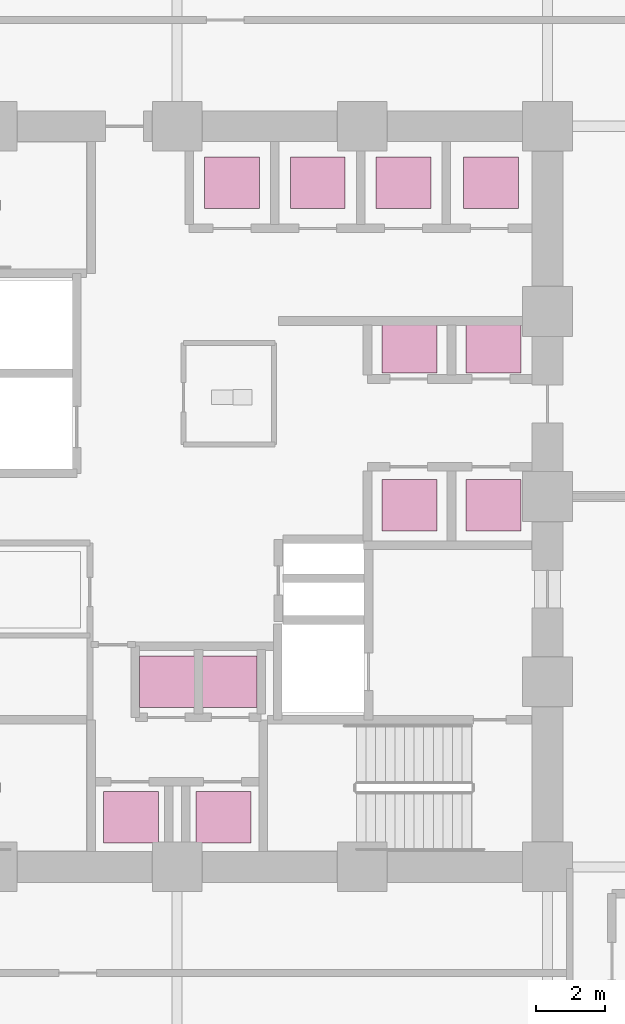
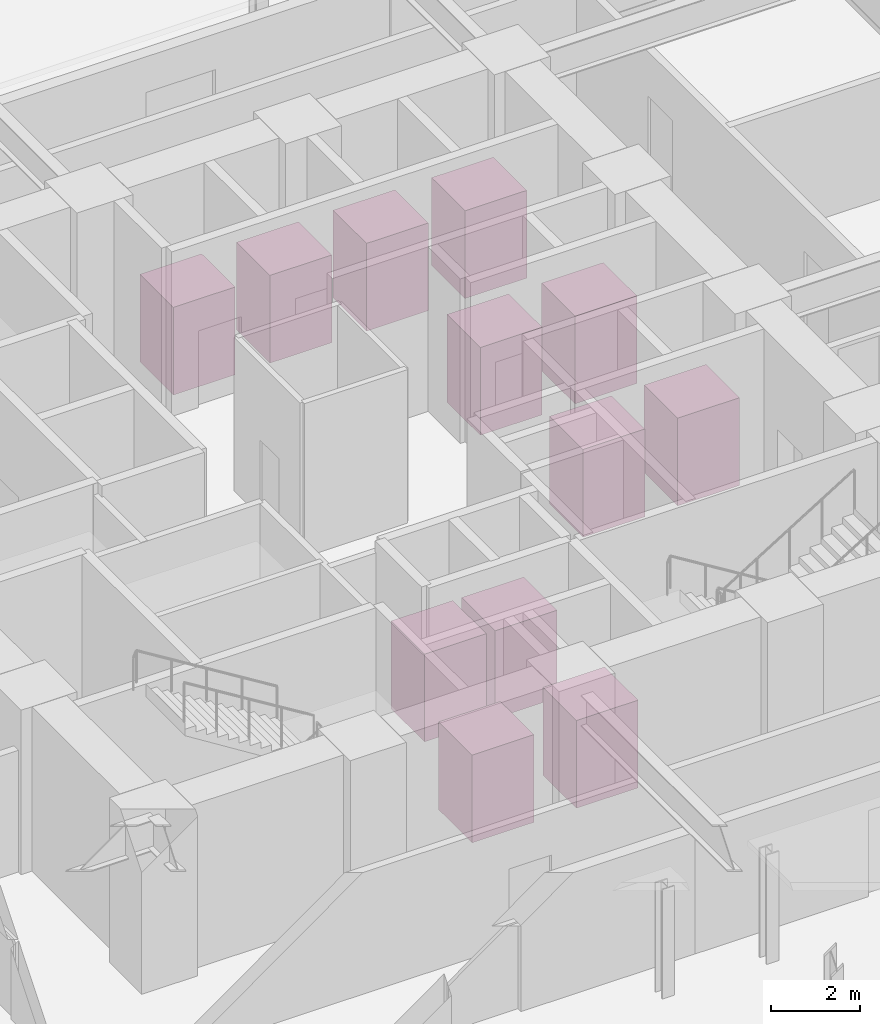
# One storey, part 29 of 29: 12 transport elements.
"""IFC4 building model written with IfcOpenShell, lengths in metres."""

from ifc_helpers import new_model, si_unit, direction, frame, origin, origin_2d, place, context, subcontext, project, spatial, rectangle, extrude, material, type_object, element, save


model = new_model("IFC4")

# Units and contexts
model_context = context("Model", 3, precision=1e-05, world=origin(), true_north=direction((0.0, 1.0)))
body_context = subcontext(model_context, "Body", "Model", "MODEL_VIEW")
ifc_project = project(units=[si_unit("LENGTHUNIT", "METRE"), si_unit("AREAUNIT", "SQUARE_METRE"), si_unit("VOLUMEUNIT", "CUBIC_METRE"), si_unit("PLANEANGLEUNIT", "RADIAN"), si_unit("MASSUNIT", "GRAM", prefix="KILO")], contexts=[model_context])

# Site, building, storey
site_placement = place(None, origin())
site = spatial("IfcSite", under=ifc_project, at=site_placement, CompositionType="ELEMENT")
building_placement = place(site_placement, origin())
building = spatial("IfcBuilding", under=site, at=building_placement, Name="Surkhivell Harbour Commons", CompositionType="ELEMENT")
storey_placement = place(building_placement, origin())
storey = spatial("IfcBuildingStorey", under=building, at=storey_placement, Name="L00", CompositionType="ELEMENT", Elevation=0.0)

# Transport elements
ifc_material = material(Name="Brushed stainless steel and pale-aluminium lift car", Category="steel")
transport_element_type = type_object("IfcTransportElementType", Name="LFT-PASS-1350", PredefinedType="ELEVATOR", material=ifc_material)
for number, where, z_axis, x_axis, name in (
    (1, (1.60009765625, 9.14990234375, 0.0), (0.0, 0.0, 1.0), (1.0, 0.0, 0.0), "Passenger Lift PL1"),
    (2, (4.10009765625, 9.14990234375, 0.0), (0.0, 0.0, 1.0), (1.0, 0.0, 0.0), "Passenger Lift PL2"),
    (3, (6.60009765625, 9.14990234375, 0.0), (0.0, 0.0, 1.0), (1.0, 0.0, 0.0), "Passenger Lift PL3"),
    (4, (9.14990234375, 9.14990234375, 0.0), (0.0, 0.0, 1.0), (1.0, 0.0, 0.0), "Passenger Lift PL4"),
    (5, (6.77490234375, 4.35009765625, 0.0), (0.0, 0.0, 1.0), (1.0, 0.0, 0.0), "Passenger Lift PM1"),
    (6, (9.22509765625, 4.35009765625, 0.0), (0.0, 0.0, 1.0), (1.0, 0.0, 0.0), "Passenger Lift PM2"),
    (7, (6.77490234375, -0.25, 0.0), (0.0, 0.0, 1.0), (1.0, 0.0, 0.0), "Passenger Lift PM3"),
    (8, (9.22509765625, -0.25, 0.0), (0.0, 0.0, 1.0), (1.0, 0.0, 0.0), "Passenger Lift PM4"),
    (9, (-0.300048828125, -5.39990234375, 0.0), (0.0, 0.0, 1.0), (1.0, 0.0, 0.0), "Passenger Lift PH1"),
    (10, (1.530029296875, -5.39990234375, 0.0), (0.0, 0.0, 1.0), (1.0, 0.0, 0.0), "Passenger Lift PH2"),
    (11, (-1.35009765625, -9.35009765625, 0.0), (0.0, 0.0, 1.0), (1.0, 0.0, 0.0), "Passenger Lift PH3"),
    (12, (1.35009765625, -9.35009765625, 0.0), (0.0, 0.0, 1.0), (1.0, 0.0, 0.0), "Passenger Lift PH4"),
):
    element("IfcTransportElement", number, at=place(storey_placement, frame(where, z_axis=z_axis, x_axis=x_axis)), inside=storey, type_object=transport_element_type, Name=name, PredefinedType="ELEVATOR", context=body_context, shape_type="SweptSolid", body=[
        extrude(rectangle(XDim=1.60009765625, YDim=1.5, at=origin_2d()), origin(), (0.0, 0.0, 1.0), 2.39990234375),
    ])

save(model, "model.ifc")
